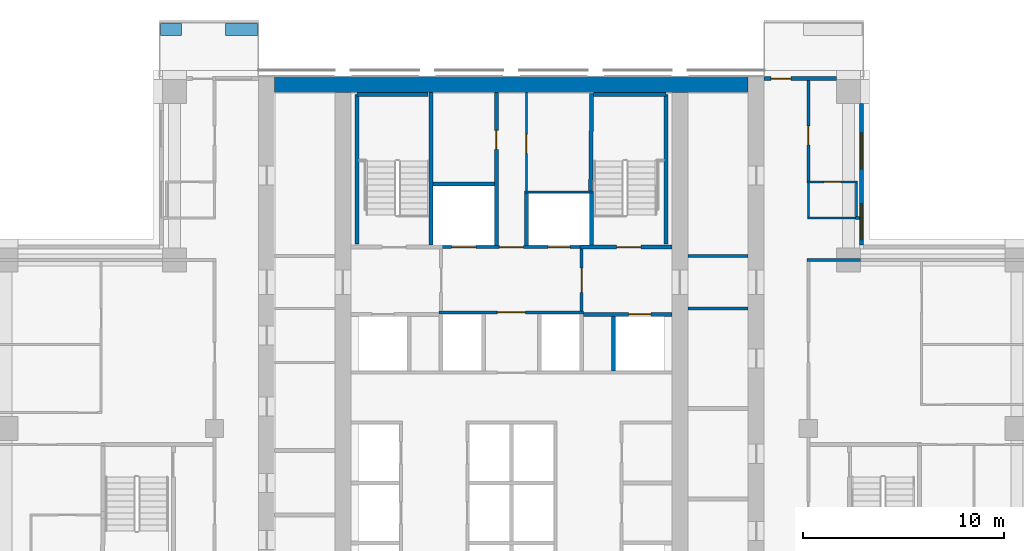
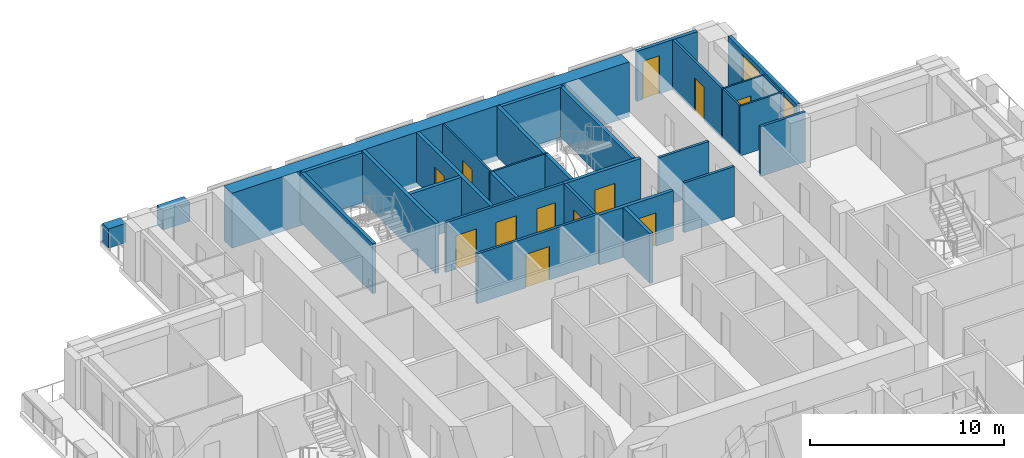
# One storey, part 11 of 16: 32 walls, 12 doors, 2 windows, 14 openings.
"""IFC4 building model written with IfcOpenShell, lengths in metres."""

from ifc_helpers import new_model, si_unit, direction, frame, frame_2d, origin, place, context, subcontext, project, spatial, rectangle, extrude, material, layer, layer_set, type_object, element, fill, save


model = new_model("IFC4")

# Units and contexts
model_context = context("Model", 3, precision=1e-05, world=origin(), true_north=direction((0.0, 1.0)))
body_context = subcontext(model_context, "Body", "Model", "MODEL_VIEW")
ifc_project = project(units=[si_unit("LENGTHUNIT", "METRE"), si_unit("AREAUNIT", "SQUARE_METRE"), si_unit("VOLUMEUNIT", "CUBIC_METRE"), si_unit("PLANEANGLEUNIT", "RADIAN"), si_unit("MASSUNIT", "GRAM", prefix="KILO")], contexts=[model_context])

# Site, building, storey
site_placement = place(None, origin())
site = spatial("IfcSite", under=ifc_project, at=site_placement, CompositionType="ELEMENT")
building_placement = place(site_placement, origin())
building = spatial("IfcBuilding", under=site, at=building_placement, Name="Vermilion Ogive Tower", CompositionType="ELEMENT")
storey_placement = place(building_placement, frame((0.0, 0.0, 114.89990234375)))
storey = spatial("IfcBuildingStorey", under=building, at=storey_placement, Name="L29", CompositionType="ELEMENT", Elevation=114.89990234375)

# Walls
ifc_material_1 = material(Name="Concrete B80", Category="concrete")
ifc_layer_1 = layer(ifc_material_1, 0.800048828125)
ifc_layer_set_1 = layer_set([ifc_layer_1], Name="Core wall 800 B80")
wall_type_1 = type_object("IfcWallType", Name="Core wall 800 B80", PredefinedType="SHEAR", material=ifc_layer_set_1)
wall_1_placement = place(storey_placement, frame((-11.800048828125, 21.35009765625, -0.31982421875), z_axis=(0.0, 0.0, 1.0), x_axis=(1.0, 0.0, 0.0)))
element("IfcWall", 1, at=wall_1_placement, inside=storey, type_object=wall_type_1, Name="L29-CORE-N", PredefinedType="SHEAR", context=body_context, shape_type="SweptSolid", body=[
    extrude(rectangle(XDim=23.60009765625, YDim=0.800048828125, at=frame_2d((11.800048828125, 0.0))), origin(), (0.0, 0.0, 1.0), 3.449951171875),
])
ifc_material_2 = material(Name="Gypsum board partition on steel studs", Category="steel")
ifc_layer_2 = layer(ifc_material_2, 0.10009765625)
ifc_layer_set_2 = layer_set([ifc_layer_2], Name="Partition 100 bath")
wall_type_2 = type_object("IfcWallType", Name="Partition 100 bath", PredefinedType="PARTITIONING", material=ifc_layer_set_2)
wall_2_placement = place(storey_placement, frame((14.75, 14.699951171875, 0.0), z_axis=(0.0, 0.0, 1.0), x_axis=(1.0, 0.0, 0.0)))
element("IfcWall", 2, at=wall_2_placement, inside=storey, type_object=wall_type_2, Name="L29-W-W039", PredefinedType="PARTITIONING", context=body_context, shape_type="SweptSolid", body=[
    extrude(rectangle(XDim=2.5, YDim=0.10009765625, at=frame_2d((1.25, 0.0))), origin(), (0.0, 0.0, 1.0), 3.130126953125),
])

# Wall, opening, door
wall_3_placement = place(storey_placement, frame((14.72509765625, 16.5, 0.0), z_axis=(0.0, 0.0, 1.0), x_axis=(1.0, 0.0, 0.0)))
wall_3 = element("IfcWall", 3, at=wall_3_placement, inside=storey, type_object=wall_type_2, Name="L29-W-W042", PredefinedType="PARTITIONING", context=body_context, shape_type="SweptSolid", body=[
    extrude(rectangle(XDim=2.52490234375, YDim=0.10009765625, at=frame_2d((1.262451171875, 0.0))), origin(), (0.0, 0.0, 1.0), 3.130126953125),
])
opening_1_placement = place(wall_3_placement, frame((0.849853515625, 0.0, 0.0)))
opening_1 = element("IfcOpeningElement", 4, at=opening_1_placement, cuts=wall_3, Name="Opening D2G5022", PredefinedType="OPENING", context=body_context, shape_type="SweptSolid", body=[
    extrude(rectangle(XDim=0.85009765625, YDim=2.10009765625, at=frame_2d((0.425048828125, 1.050048828125))), frame((0.0, 0.06005859375, 0.0), z_axis=(0.0, -1.0, 0.0), x_axis=(1.0, 0.0, 0.0)), (0.0, 0.0, 1.0), 0.1201171875),
])
ifc_material_3 = material(Name="Timber door leaf", Category="wood")
door_type_1 = type_object("IfcDoorType", Name="Bath door 850 x 2100 FD30", OperationType="SINGLE_SWING_LEFT", PredefinedType="DOOR", material=ifc_material_3)
door_1_placement = place(opening_1_placement, origin())
door_1 = element("IfcDoor", 5, at=door_1_placement, inside=storey, type_object=door_type_1, Name="L29-D-D022", OperationType="SINGLE_SWING_RIGHT", OverallHeight=2.10009765625, OverallWidth=0.85009765625, PredefinedType="DOOR", context=body_context, shape_type="SweptSolid", body=[
    extrude(rectangle(XDim=0.85009765625, YDim=2.10009765625, at=frame_2d((0.425048828125, 1.050048828125))), frame((0.0, 0.02490234375, 0.0), z_axis=(0.0, -1.0, 0.0), x_axis=(1.0, 0.0, 0.0)), (0.0, 0.0, 1.0), 0.050048828125),
])
fill(opening_1, door_1)

# Walls
wall_4_placement = place(storey_placement, frame((14.800048828125, 14.75, 0.0), z_axis=(0.0, 0.0, 1.0), x_axis=(0.0, 1.0, 0.0)))
element("IfcWall", 6, at=wall_4_placement, inside=storey, type_object=wall_type_2, Name="L29-W-W070", PredefinedType="PARTITIONING", context=body_context, shape_type="SweptSolid", body=[
    extrude(rectangle(XDim=1.699951171875, YDim=0.10009765625, at=frame_2d((0.85009765625, 0.0))), origin(), (0.0, 0.0, 1.0), 3.130126953125),
])
wall_5_placement = place(storey_placement, frame((17.199951171875, 14.77490234375, 0.0), z_axis=(0.0, 0.0, 1.0), x_axis=(0.0, 1.0, 0.0)))
element("IfcWall", 7, at=wall_5_placement, inside=storey, type_object=wall_type_2, Name="L29-W-W073", PredefinedType="PARTITIONING", context=body_context, shape_type="SweptSolid", body=[
    extrude(rectangle(XDim=1.675048828125, YDim=0.10009765625, at=frame_2d((0.83740234375, 0.0))), origin(), (0.0, 0.0, 1.0), 3.130126953125),
])
wall_6_placement = place(storey_placement, frame((0.64990234375, 16.0, 0.0), z_axis=(0.0, 0.0, 1.0), x_axis=(1.0, 0.0, 0.0)))
element("IfcWall", 8, at=wall_6_placement, inside=storey, type_object=wall_type_2, Name="L29-CK-W-W020", PredefinedType="PARTITIONING", context=body_context, shape_type="SweptSolid", body=[
    extrude(rectangle(XDim=3.4501953125, YDim=0.10009765625, at=frame_2d((1.72509765625, 0.0))), origin(), (0.0, 0.0, 1.0), 3.130126953125),
])

# Wall, opening, door
wall_7_placement = place(storey_placement, frame((0.75, 16.050048828125, 0.0), z_axis=(0.0, 0.0, 1.0), x_axis=(0.0, 1.0, 0.0)))
wall_7 = element("IfcWall", 9, at=wall_7_placement, inside=storey, type_object=wall_type_2, Name="L29-CK-W-W032", PredefinedType="PARTITIONING", context=body_context, shape_type="SweptSolid", body=[
    extrude(rectangle(XDim=4.89892578125, YDim=0.10009765625, at=frame_2d((2.449462890625, 0.0))), origin(), (0.0, 0.0, 1.0), 3.130126953125),
])
opening_2_placement = place(wall_7_placement, frame((1.875, 0.0, 0.0)))
opening_2 = element("IfcOpeningElement", 10, at=opening_2_placement, cuts=wall_7, Name="Opening DAA238", PredefinedType="OPENING", context=body_context, shape_type="SweptSolid", body=[
    extrude(rectangle(XDim=0.949951171875, YDim=2.10009765625, at=frame_2d((0.47509765625, 1.050048828125))), frame((0.0, 0.06005859375, 0.0), z_axis=(0.0, -1.0, 0.0), x_axis=(1.0, 0.0, 0.0)), (0.0, 0.0, 1.0), 0.1201171875),
])
ifc_material_4 = material(Name="Timber door leaf", Category="wood")
door_type_2 = type_object("IfcDoorType", Name="Service door 950 x 2100 FD60", OperationType="SINGLE_SWING_LEFT", PredefinedType="DOOR", material=ifc_material_4)
door_2_placement = place(opening_2_placement, origin())
door_2 = element("IfcDoor", 11, at=door_2_placement, inside=storey, type_object=door_type_2, Name="L29-CK-D-D021", OperationType="SINGLE_SWING_LEFT", OverallHeight=2.10009765625, OverallWidth=0.949951171875, PredefinedType="DOOR", context=body_context, shape_type="SweptSolid", body=[
    extrude(rectangle(XDim=0.949951171875, YDim=2.10009765625, at=frame_2d((0.47509765625, 1.050048828125))), frame((0.0, 0.02490234375, 0.0), z_axis=(0.0, -1.0, 0.0), x_axis=(1.0, 0.0, 0.0)), (0.0, 0.0, 1.0), 0.050048828125),
])
fill(opening_2, door_2)

# Walls
ifc_material_5 = material(Name="Gypsum board partition on steel studs", Category="steel")
ifc_layer_3 = layer(ifc_material_5, 0.14990234375)
ifc_layer_set_3 = layer_set([ifc_layer_3], Name="Partition 150 corridor")
wall_type_3 = type_object("IfcWallType", Name="Partition 150 corridor", PredefinedType="PARTITIONING", material=ifc_layer_set_3)
wall_8_placement = place(storey_placement, frame((14.72509765625, 12.60009765625, 0.0), z_axis=(0.0, 0.0, 1.0), x_axis=(1.0, 0.0, 0.0)))
element("IfcWall", 12, at=wall_8_placement, inside=storey, type_object=wall_type_3, Name="L29-W-W036", PredefinedType="PARTITIONING", context=body_context, shape_type="SweptSolid", body=[
    extrude(rectangle(XDim=2.6748046875, YDim=0.14990234375, at=frame_2d((1.33740234375, 0.0))), origin(), (0.0, 0.0, 1.0), 3.130126953125),
])
wall_9_placement = place(storey_placement, frame((17.14990234375, 14.699951171875, 0.0), z_axis=(0.0, 0.0, 1.0), x_axis=(1.0, 0.0, 0.0)))
element("IfcWall", 13, at=wall_9_placement, inside=storey, type_object=wall_type_3, Name="L29-W-W040", PredefinedType="PARTITIONING", context=body_context, shape_type="SweptSolid", body=[
    extrude(rectangle(XDim=0.2001953125, YDim=0.14990234375, at=frame_2d((0.10009765625, 0.0))), origin(), (0.0, 0.0, 1.0), 3.130126953125),
])

# Wall, opening, door
wall_10_placement = place(storey_placement, frame((14.800048828125, 16.550048828125, 0.0), z_axis=(0.0, 0.0, 1.0), x_axis=(0.0, 1.0, 0.0)))
wall_10 = element("IfcWall", 14, at=wall_10_placement, inside=storey, type_object=wall_type_3, Name="L29-W-W071", PredefinedType="PARTITIONING", context=body_context, shape_type="SweptSolid", body=[
    extrude(rectangle(XDim=5.0, YDim=0.14990234375, at=frame_2d((2.5, 0.0))), origin(), (0.0, 0.0, 1.0), 3.130126953125),
])
opening_3_placement = place(wall_10_placement, frame((1.800048828125, 0.0, 0.0)))
opening_3 = element("IfcOpeningElement", 15, at=opening_3_placement, cuts=wall_10, Name="Opening D2G5021", PredefinedType="OPENING", context=body_context, shape_type="SweptSolid", body=[
    extrude(rectangle(XDim=0.949951171875, YDim=2.10009765625, at=frame_2d((0.47509765625, 1.050048828125))), frame((0.0, 0.0849609375, 0.0), z_axis=(0.0, -1.0, 0.0), x_axis=(1.0, 0.0, 0.0)), (0.0, 0.0, 1.0), 0.169921875),
])
ifc_material_6 = material(Name="Timber door leaf", Category="wood")
door_type_3 = type_object("IfcDoorType", Name="Unit door 950 x 2100 FD30S", OperationType="SINGLE_SWING_LEFT", PredefinedType="DOOR", material=ifc_material_6)
door_3_placement = place(opening_3_placement, origin())
door_3 = element("IfcDoor", 16, at=door_3_placement, inside=storey, type_object=door_type_3, Name="L29-D-D021", OperationType="SINGLE_SWING_LEFT", OverallHeight=2.10009765625, OverallWidth=0.949951171875, PredefinedType="DOOR", context=body_context, shape_type="SweptSolid", body=[
    extrude(rectangle(XDim=0.949951171875, YDim=2.10009765625, at=frame_2d((0.47509765625, 1.050048828125))), frame((0.0, 0.02490234375, 0.0), z_axis=(0.0, -1.0, 0.0), x_axis=(1.0, 0.0, 0.0)), (0.0, 0.0, 1.0), 0.050048828125),
])
fill(opening_3, door_3)

wall_11_placement = place(storey_placement, frame((-3.60009765625, 10.0, 0.0), z_axis=(0.0, 0.0, 1.0), x_axis=(1.0, 0.0, 0.0)))
wall_11 = element("IfcWall", 17, at=wall_11_placement, inside=storey, type_object=wall_type_3, Name="L29-CK-W-W016", PredefinedType="PARTITIONING", context=body_context, shape_type="SweptSolid", body=[
    extrude(rectangle(XDim=7.2001953125, YDim=0.14990234375, at=frame_2d((3.60009765625, 0.0))), origin(), (0.0, 0.0, 1.0), 3.130126953125),
])
opening_4_placement = place(wall_11_placement, frame((2.900146484375, 0.0, 0.0)))
opening_4 = element("IfcOpeningElement", 18, at=opening_4_placement, cuts=wall_11, Name="Opening DAA233", PredefinedType="OPENING", context=body_context, shape_type="SweptSolid", body=[
    extrude(rectangle(XDim=1.39990234375, YDim=2.10009765625, at=frame_2d((0.699951171875, 1.050048828125))), frame((0.0, 0.0849609375, 0.0), z_axis=(0.0, -1.0, 0.0), x_axis=(1.0, 0.0, 0.0)), (0.0, 0.0, 1.0), 0.169921875),
])
ifc_material_7 = material(Name="Timber door leaf", Category="wood")
door_type_4 = type_object("IfcDoorType", Name="Lobby door 1400 x 2100 FD60S", OperationType="SINGLE_SWING_LEFT", PredefinedType="DOOR", material=ifc_material_7)
door_4_placement = place(opening_4_placement, origin())
door_4 = element("IfcDoor", 19, at=door_4_placement, inside=storey, type_object=door_type_4, Name="L29-CK-D-D016", OperationType="SINGLE_SWING_RIGHT", OverallHeight=2.10009765625, OverallWidth=1.39990234375, PredefinedType="DOOR", context=body_context, shape_type="SweptSolid", body=[
    extrude(rectangle(XDim=1.39990234375, YDim=2.10009765625, at=frame_2d((0.699951171875, 1.050048828125))), frame((0.0, 0.02490234375, 0.0), z_axis=(0.0, -1.0, 0.0), x_axis=(1.0, 0.0, 0.0)), (0.0, 0.0, 1.0), 0.050048828125),
])
fill(opening_4, door_4)

# Wall, openings, doors
wall_12_placement = place(storey_placement, frame((-3.574951171875, 13.25, 0.0), z_axis=(0.0, 0.0, 1.0), x_axis=(1.0, 0.0, 0.0)))
wall_12 = element("IfcWall", 20, at=wall_12_placement, inside=storey, type_object=wall_type_3, Name="L29-CK-W-W018", PredefinedType="PARTITIONING", context=body_context, shape_type="SweptSolid", body=[
    extrude(rectangle(XDim=7.14990234375, YDim=0.14990234375, at=frame_2d((3.574951171875, 0.0))), origin(), (0.0, 0.0, 1.0), 3.130126953125),
])
opening_5_placement = place(wall_12_placement, frame((0.599853515625, 0.0, 0.0)))
opening_5 = element("IfcOpeningElement", 21, at=opening_5_placement, cuts=wall_12, Name="Opening DAA252", PredefinedType="OPENING", context=body_context, shape_type="SweptSolid", body=[
    extrude(rectangle(XDim=1.199951171875, YDim=2.10009765625, at=frame_2d((0.60009765625, 1.050048828125))), frame((0.0, 0.0849609375, 0.0), z_axis=(0.0, -1.0, 0.0), x_axis=(1.0, 0.0, 0.0)), (0.0, 0.0, 1.0), 0.169921875),
])
opening_6_placement = place(wall_12_placement, frame((5.39990234375, 0.0, 0.0)))
opening_6 = element("IfcOpeningElement", 22, at=opening_6_placement, cuts=wall_12, Name="Opening DAA243", PredefinedType="OPENING", context=body_context, shape_type="SweptSolid", body=[
    extrude(rectangle(XDim=1.10009765625, YDim=2.10009765625, at=frame_2d((0.550048828125, 1.050048828125))), frame((0.0, 0.0849609375, 0.0), z_axis=(0.0, -1.0, 0.0), x_axis=(1.0, 0.0, 0.0)), (0.0, 0.0, 1.0), 0.169921875),
])
opening_7_placement = place(wall_12_placement, frame((2.974853515625, 0.0, 0.0)))
opening_7 = element("IfcOpeningElement", 23, at=opening_7_placement, cuts=wall_12, Name="Opening DAA234", PredefinedType="OPENING", context=body_context, shape_type="SweptSolid", body=[
    extrude(rectangle(XDim=1.199951171875, YDim=2.10009765625, at=frame_2d((0.60009765625, 1.050048828125))), frame((0.0, 0.0849609375, 0.0), z_axis=(0.0, -1.0, 0.0), x_axis=(1.0, 0.0, 0.0)), (0.0, 0.0, 1.0), 0.169921875),
])
ifc_material_8 = material(Name="Stainless steel", Category="steel")
door_type_5 = type_object("IfcDoorType", Name="Lift landing door 1100 x 2100", OperationType="SLIDING_TO_LEFT", PredefinedType="DOOR", material=ifc_material_8)
door_5_placement = place(opening_6_placement, origin())
door_5 = element("IfcDoor", 24, at=door_5_placement, inside=storey, type_object=door_type_5, Name="L29-CK-D-D018", OperationType="SLIDING_TO_LEFT", OverallHeight=2.10009765625, OverallWidth=1.10009765625, PredefinedType="DOOR", context=body_context, shape_type="SweptSolid", body=[
    extrude(rectangle(XDim=1.10009765625, YDim=2.10009765625, at=frame_2d((0.550048828125, 1.050048828125))), frame((0.0, 0.02490234375, 0.0), z_axis=(0.0, -1.0, 0.0), x_axis=(1.0, 0.0, 0.0)), (0.0, 0.0, 1.0), 0.050048828125),
])
fill(opening_6, door_5)
ifc_material_9 = material(Name="Stainless steel", Category="steel")
door_type_6 = type_object("IfcDoorType", Name="Lift landing door 1200 x 2100", OperationType="SLIDING_TO_LEFT", PredefinedType="DOOR", material=ifc_material_9)
door_6_placement = place(opening_5_placement, origin())
door_6 = element("IfcDoor", 25, at=door_6_placement, inside=storey, type_object=door_type_6, Name="L29-CK-D-D017", OperationType="SLIDING_TO_RIGHT", OverallHeight=2.10009765625, OverallWidth=1.199951171875, PredefinedType="DOOR", context=body_context, shape_type="SweptSolid", body=[
    extrude(rectangle(XDim=1.199951171875, YDim=2.10009765625, at=frame_2d((0.60009765625, 1.050048828125))), frame((0.0, 0.02490234375, 0.0), z_axis=(0.0, -1.0, 0.0), x_axis=(1.0, 0.0, 0.0)), (0.0, 0.0, 1.0), 0.050048828125),
])
fill(opening_5, door_6)
ifc_material_10 = material(Name="Timber door leaf", Category="wood")
door_type_7 = type_object("IfcDoorType", Name="Service door 1200 x 2100 FD60", OperationType="SINGLE_SWING_LEFT", PredefinedType="DOOR", material=ifc_material_10)
door_7_placement = place(opening_7_placement, origin())
door_7 = element("IfcDoor", 26, at=door_7_placement, inside=storey, type_object=door_type_7, Name="L29-CK-D-D019", OperationType="SINGLE_SWING_RIGHT", OverallHeight=2.10009765625, OverallWidth=1.199951171875, PredefinedType="DOOR", context=body_context, shape_type="SweptSolid", body=[
    extrude(rectangle(XDim=1.199951171875, YDim=2.10009765625, at=frame_2d((0.60009765625, 1.050048828125))), frame((0.0, 0.02490234375, 0.0), z_axis=(0.0, -1.0, 0.0), x_axis=(1.0, 0.0, 0.0)), (0.0, 0.0, 1.0), 0.050048828125),
])
fill(opening_7, door_7)

# Wall, opening, door
wall_13_placement = place(storey_placement, frame((3.5, 10.074951171875, 0.0), z_axis=(0.0, 0.0, 1.0), x_axis=(0.0, 1.0, 0.0)))
wall_13 = element("IfcWall", 27, at=wall_13_placement, inside=storey, type_object=wall_type_3, Name="L29-CK-W-W036", PredefinedType="PARTITIONING", context=body_context, shape_type="SweptSolid", body=[
    extrude(rectangle(XDim=3.074951171875, YDim=0.14990234375, at=frame_2d((1.53759765625, 0.0))), origin(), (0.0, 0.0, 1.0), 3.130126953125),
])
opening_8_placement = place(wall_13_placement, frame((0.925048828125, 0.0, 0.0)))
opening_8 = element("IfcOpeningElement", 28, at=opening_8_placement, cuts=wall_13, Name="Opening DAA231", PredefinedType="OPENING", context=body_context, shape_type="SweptSolid", body=[
    extrude(rectangle(XDim=1.199951171875, YDim=2.10009765625, at=frame_2d((0.60009765625, 1.050048828125))), frame((0.0, 0.0849609375, 0.0), z_axis=(0.0, -1.0, 0.0), x_axis=(1.0, 0.0, 0.0)), (0.0, 0.0, 1.0), 0.169921875),
])
ifc_material_11 = material(Name="Timber door leaf", Category="wood")
door_type_8 = type_object("IfcDoorType", Name="Lobby door 1200 x 2100 FD60S", OperationType="SINGLE_SWING_LEFT", PredefinedType="DOOR", material=ifc_material_11)
door_8_placement = place(opening_8_placement, origin())
door_8 = element("IfcDoor", 29, at=door_8_placement, inside=storey, type_object=door_type_8, Name="L29-CK-D-D023", OperationType="SINGLE_SWING_LEFT", OverallHeight=2.10009765625, OverallWidth=1.199951171875, PredefinedType="DOOR", context=body_context, shape_type="SweptSolid", body=[
    extrude(rectangle(XDim=1.199951171875, YDim=2.10009765625, at=frame_2d((0.60009765625, 1.050048828125))), frame((0.0, 0.02490234375, 0.0), z_axis=(0.0, -1.0, 0.0), x_axis=(1.0, 0.0, 0.0)), (0.0, 0.0, 1.0), 0.050048828125),
])
fill(opening_8, door_8)

# Walls
for number, where, z_axis, x_axis, name in (
    (30, (8.801025390625, 10.199951171875, 0.0), (0.0, 0.0, 1.0), (1.0, 0.0, 0.0), "L29-CKE-W-W004"),
    (31, (8.801025390625, 12.800048828125, 0.0), (0.0, 0.0, 1.0), (1.0, 0.0, 0.0), "L29-CKE-W-W005"),
):
    element("IfcWall", number, at=place(storey_placement, frame(where, z_axis=z_axis, x_axis=x_axis)), inside=storey, type_object=wall_type_3, Name=name, PredefinedType="PARTITIONING", context=body_context, shape_type="SweptSolid", body=[
        extrude(rectangle(XDim=2.998046875, YDim=0.14990234375, at=frame_2d((1.4990234375, 0.0))), origin(), (0.0, 0.0, 1.0), 3.130126953125),
    ])

# Wall, opening, door
ifc_material_12 = material(Name="Gypsum board partition on steel studs", Category="steel")
ifc_layer_4 = layer(ifc_material_12, 0.199951171875)
ifc_layer_set_4 = layer_set([ifc_layer_4], Name="Partition 200 party")
wall_type_4 = type_object("IfcWallType", Name="Partition 200 party", PredefinedType="PARTITIONING", material=ifc_layer_set_4)
wall_14_placement = place(storey_placement, frame((3.60009765625, 9.89990234375, 0.0), z_axis=(0.0, 0.0, 1.0), x_axis=(1.0, 0.0, 0.0)))
wall_14 = element("IfcWall", 32, at=wall_14_placement, inside=storey, type_object=wall_type_4, Name="L29-CK-W-W015", PredefinedType="PARTITIONING", context=body_context, shape_type="SweptSolid", body=[
    extrude(rectangle(XDim=4.39892578125, YDim=0.199951171875, at=frame_2d((2.199462890625, 0.0))), origin(), (0.0, 0.0, 1.0), 3.130126953125),
])
opening_9_placement = place(wall_14_placement, frame((2.25, 0.0, 0.0)))
opening_9 = element("IfcOpeningElement", 33, at=opening_9_placement, cuts=wall_14, Name="Opening DAA242", PredefinedType="OPENING", context=body_context, shape_type="SweptSolid", body=[
    extrude(rectangle(XDim=1.10009765625, YDim=2.10009765625, at=frame_2d((0.550048828125, 1.050048828125))), frame((0.0, 0.10986328125, 0.0), z_axis=(0.0, -1.0, 0.0), x_axis=(1.0, 0.0, 0.0)), (0.0, 0.0, 1.0), 0.219970703125),
])
door_9_placement = place(opening_9_placement, origin())
door_9 = element("IfcDoor", 34, at=door_9_placement, inside=storey, type_object=door_type_5, Name="L29-CK-D-D014", OperationType="SLIDING_TO_LEFT", OverallHeight=2.10009765625, OverallWidth=1.10009765625, PredefinedType="DOOR", context=body_context, shape_type="SweptSolid", body=[
    extrude(rectangle(XDim=1.10009765625, YDim=2.10009765625, at=frame_2d((0.550048828125, 1.050048828125))), frame((0.0, 0.02490234375, 0.0), z_axis=(0.0, -1.0, 0.0), x_axis=(1.0, 0.0, 0.0)), (0.0, 0.0, 1.0), 0.050048828125),
])
fill(opening_9, door_9)

# Wall
wall_15_placement = place(storey_placement, frame((-3.89990234375, 16.39990234375, 0.0), z_axis=(0.0, 0.0, 1.0), x_axis=(1.0, 0.0, 0.0)))
element("IfcWall", 35, at=wall_15_placement, inside=storey, type_object=wall_type_4, Name="L29-CK-W-W021", PredefinedType="PARTITIONING", context=body_context, shape_type="SweptSolid", body=[
    extrude(rectangle(XDim=3.0498046875, YDim=0.199951171875, at=frame_2d((1.52490234375, 0.0))), origin(), (0.0, 0.0, 1.0), 3.130126953125),
])

# Wall, opening, door
wall_16_placement = place(storey_placement, frame((-0.75, 13.324951171875, 0.0), z_axis=(0.0, 0.0, 1.0), x_axis=(0.0, 1.0, 0.0)))
wall_16 = element("IfcWall", 36, at=wall_16_placement, inside=storey, type_object=wall_type_4, Name="L29-CK-W-W029", PredefinedType="PARTITIONING", context=body_context, shape_type="SweptSolid", body=[
    extrude(rectangle(XDim=7.6240234375, YDim=0.199951171875, at=frame_2d((3.81201171875, 0.0))), origin(), (0.0, 0.0, 1.0), 3.130126953125),
])
opening_10_placement = place(wall_16_placement, frame((4.800048828125, 0.0, 0.0)))
opening_10 = element("IfcOpeningElement", 37, at=opening_10_placement, cuts=wall_16, Name="Opening DAA237", PredefinedType="OPENING", context=body_context, shape_type="SweptSolid", body=[
    extrude(rectangle(XDim=0.949951171875, YDim=2.10009765625, at=frame_2d((0.47509765625, 1.050048828125))), frame((0.0, 0.10986328125, 0.0), z_axis=(0.0, -1.0, 0.0), x_axis=(1.0, 0.0, 0.0)), (0.0, 0.0, 1.0), 0.219970703125),
])
door_10_placement = place(opening_10_placement, origin())
door_10 = element("IfcDoor", 38, at=door_10_placement, inside=storey, type_object=door_type_2, Name="L29-CK-D-D020", OperationType="SINGLE_SWING_RIGHT", OverallHeight=2.10009765625, OverallWidth=0.949951171875, PredefinedType="DOOR", context=body_context, shape_type="SweptSolid", body=[
    extrude(rectangle(XDim=0.949951171875, YDim=2.10009765625, at=frame_2d((0.47509765625, 1.050048828125))), frame((0.0, 0.02490234375, 0.0), z_axis=(0.0, -1.0, 0.0), x_axis=(1.0, 0.0, 0.0)), (0.0, 0.0, 1.0), 0.050048828125),
])
fill(opening_10, door_10)

# Walls
wall_17_placement = place(storey_placement, frame((0.75, 13.324951171875, 0.0), z_axis=(0.0, 0.0, 1.0), x_axis=(0.0, 1.0, 0.0)))
element("IfcWall", 39, at=wall_17_placement, inside=storey, type_object=wall_type_4, Name="L29-CK-W-W031", PredefinedType="PARTITIONING", context=body_context, shape_type="SweptSolid", body=[
    extrude(rectangle(XDim=2.625, YDim=0.199951171875, at=frame_2d((1.3125, 0.0))), origin(), (0.0, 0.0, 1.0), 3.130126953125),
])
wall_18_placement = place(storey_placement, frame((5.10009765625, 7.074951171875, 0.0), z_axis=(0.0, 0.0, 1.0), x_axis=(0.0, 1.0, 0.0)))
element("IfcWall", 40, at=wall_18_placement, inside=storey, type_object=wall_type_4, Name="L29-CK-W-W039", PredefinedType="PARTITIONING", context=body_context, shape_type="SweptSolid", body=[
    extrude(rectangle(XDim=2.72509765625, YDim=0.199951171875, at=frame_2d((1.362548828125, 0.0))), origin(), (0.0, 0.0, 1.0), 3.130126953125),
])

# Wall, opening, door
ifc_material_13 = material(Name="Concrete B60", Category="concrete")
ifc_layer_5 = layer(ifc_material_13, 0.199951171875)
ifc_layer_set_5 = layer_set([ifc_layer_5], Name="Stair shaft wall 200 Concrete B60")
wall_type_5 = type_object("IfcWallType", Name="Stair shaft wall 200 Concrete B60", PredefinedType="SOLIDWALL", material=ifc_layer_set_5)
wall_19_placement = place(storey_placement, frame((3.425048828125, 13.25, 0.0), z_axis=(0.0, 0.0, 1.0), x_axis=(1.0, 0.0, 0.0)))
wall_19 = element("IfcWall", 41, at=wall_19_placement, inside=storey, type_object=wall_type_5, Name="L29-CK-W-W019", PredefinedType="SOLIDWALL", context=body_context, shape_type="SweptSolid", body=[
    extrude(rectangle(XDim=4.573974609375, YDim=0.199951171875, at=frame_2d((2.287109375, 0.0))), origin(), (0.0, 0.0, 1.0), 3.130126953125),
])
opening_11_placement = place(wall_19_placement, frame((1.824951171875, 0.0, 0.0)))
opening_11 = element("IfcOpeningElement", 42, at=opening_11_placement, cuts=wall_19, Name="Opening DAA240", PredefinedType="OPENING", context=body_context, shape_type="SweptSolid", body=[
    extrude(rectangle(XDim=1.199951171875, YDim=2.10009765625, at=frame_2d((0.60009765625, 1.050048828125))), frame((0.0, 0.10986328125, 0.0), z_axis=(0.0, -1.0, 0.0), x_axis=(1.0, 0.0, 0.0)), (0.0, 0.0, 1.0), 0.219970703125),
])
ifc_material_14 = material(Name="Timber door leaf", Category="wood")
door_type_9 = type_object("IfcDoorType", Name="Stair door 1200 x 2100 FD60S", OperationType="SINGLE_SWING_LEFT", PredefinedType="DOOR", material=ifc_material_14)
door_11_placement = place(opening_11_placement, origin())
door_11 = element("IfcDoor", 43, at=door_11_placement, inside=storey, type_object=door_type_9, Name="L29-CK-D-D013", OperationType="SINGLE_SWING_RIGHT", OverallHeight=2.10009765625, OverallWidth=1.199951171875, PredefinedType="DOOR", context=body_context, shape_type="SweptSolid", body=[
    extrude(rectangle(XDim=1.199951171875, YDim=2.10009765625, at=frame_2d((0.60009765625, 1.050048828125))), frame((0.0, 0.02490234375, 0.0), z_axis=(0.0, -1.0, 0.0), x_axis=(1.0, 0.0, 0.0)), (0.0, 0.0, 1.0), 0.050048828125),
])
fill(opening_11, door_11)

# Walls
wall_20_placement = place(storey_placement, frame((-4.0, 13.35009765625, 0.0), z_axis=(0.0, 0.0, 1.0), x_axis=(0.0, 1.0, 0.0)))
element("IfcWall", 44, at=wall_20_placement, inside=storey, type_object=wall_type_5, Name="L29-CK-W-W024", PredefinedType="SOLIDWALL", context=body_context, shape_type="SweptSolid", body=[
    extrude(rectangle(XDim=7.598876953125, YDim=0.199951171875, at=frame_2d((3.79931640625, 0.0))), origin(), (0.0, 0.0, 1.0), 3.130126953125),
])
wall_21_placement = place(storey_placement, frame((4.0, 13.35009765625, 0.0), z_axis=(0.0, 0.0, 1.0), x_axis=(0.0, 1.0, 0.0)))
element("IfcWall", 45, at=wall_21_placement, inside=storey, type_object=wall_type_5, Name="L29-CK-W-W037", PredefinedType="SOLIDWALL", context=body_context, shape_type="SweptSolid", body=[
    extrude(rectangle(XDim=2.599853515625, YDim=0.199951171875, at=frame_2d((1.2998046875, 0.0))), origin(), (0.0, 0.0, 1.0), 3.130126953125),
])
wall_22_placement = place(storey_placement, frame((3.949951171875, 16.050048828125, 0.0), z_axis=(0.0, 0.0, 1.0), x_axis=(0.01032118628, 0.999946735138, 0.0)))
element("IfcWall", 46, at=wall_22_placement, inside=storey, type_object=wall_type_5, Name="L29-CK-W-W038", PredefinedType="SOLIDWALL", context=body_context, shape_type="SweptSolid", body=[
    extrude(rectangle(XDim=4.84912109375, YDim=0.199951171875, at=frame_2d((2.424560546875, 0.0))), origin(), (0.0, 0.0, 1.0), 3.130126953125),
])
wall_23_placement = place(storey_placement, frame((-7.699951171875, 13.39990234375, 0.0), z_axis=(0.0, 0.0, 1.0), x_axis=(0.0, 1.0, 0.0)))
element("IfcWall", 47, at=wall_23_placement, inside=storey, type_object=wall_type_5, Name="L29-SW-R022-W1", PredefinedType="SOLIDWALL", context=body_context, shape_type="SweptSolid", body=[
    extrude(rectangle(XDim=7.4501953125, YDim=0.199951171875, at=frame_2d((3.72509765625, 0.0))), origin(), (0.0, 0.0, 1.0), 3.130126953125),
])
wall_24_placement = place(storey_placement, frame((-7.699951171875, 20.85009765625, 0.0), z_axis=(0.0, 0.0, 1.0), x_axis=(1.0, 0.0, 0.0)))
element("IfcWall", 48, at=wall_24_placement, inside=storey, type_object=wall_type_5, Name="L29-SW-R022-N1", PredefinedType="SOLIDWALL", context=body_context, shape_type="SweptSolid", body=[
    extrude(rectangle(XDim=3.550048828125, YDim=0.199951171875, at=frame_2d((1.77490234375, 0.0))), origin(), (0.0, 0.0, 1.0), 3.130126953125),
])
wall_25_placement = place(storey_placement, frame((7.699951171875, 13.39990234375, 0.0), z_axis=(0.0, 0.0, 1.0), x_axis=(0.0, 1.0, 0.0)))
element("IfcWall", 49, at=wall_25_placement, inside=storey, type_object=wall_type_5, Name="L29-SW-R026-E1", PredefinedType="SOLIDWALL", context=body_context, shape_type="SweptSolid", body=[
    extrude(rectangle(XDim=7.4501953125, YDim=0.199951171875, at=frame_2d((3.72509765625, 0.0))), origin(), (0.0, 0.0, 1.0), 3.130126953125),
])
wall_26_placement = place(storey_placement, frame((4.10009765625, 20.85009765625, 0.0), z_axis=(0.0, 0.0, 1.0), x_axis=(1.0, 0.0, 0.0)))
element("IfcWall", 50, at=wall_26_placement, inside=storey, type_object=wall_type_5, Name="L29-SW-R026-N1", PredefinedType="SOLIDWALL", context=body_context, shape_type="SweptSolid", body=[
    extrude(rectangle(XDim=3.599853515625, YDim=0.199951171875, at=frame_2d((1.7998046875, 0.0))), origin(), (0.0, 0.0, 1.0), 3.130126953125),
])
ifc_material_15 = material(Name="Concrete B40", Category="concrete")
ifc_layer_6 = layer(ifc_material_15, 0.60009765625)
ifc_layer_set_6 = layer_set([ifc_layer_6], Name="Structural planter")
wall_type_6 = type_object("IfcWallType", Name="Structural planter", PredefinedType="USERDEFINED", material=ifc_layer_set_6)
wall_27_placement = place(storey_placement, frame((-12.659912109375, 24.093994140625, -0.039794921875), z_axis=(0.0, 0.0, 1.0), x_axis=(-1.0, 0.0, 0.0)))
element("IfcWall", 51, at=wall_27_placement, inside=storey, type_object=wall_type_6, Name="Planter N201A1", ObjectType="PLANTER", PredefinedType="USERDEFINED", context=body_context, shape_type="SweptSolid", body=[
    extrude(rectangle(XDim=1.590087890625, YDim=0.60009765625, at=frame_2d((0.794921875, 0.0))), origin(), (0.0, 0.0, 1.0), 1.199951171875),
])
wall_28_placement = place(storey_placement, frame((-16.449951171875, 24.093994140625, -0.039794921875), z_axis=(0.0, 0.0, 1.0), x_axis=(-1.0, 0.0, 0.0)))
element("IfcWall", 52, at=wall_28_placement, inside=storey, type_object=wall_type_6, Name="Planter N201A2", ObjectType="PLANTER", PredefinedType="USERDEFINED", context=body_context, shape_type="SweptSolid", body=[
    extrude(rectangle(XDim=1.0400390625, YDim=0.60009765625, at=frame_2d((0.52001953125, 0.0))), origin(), (0.0, 0.0, 1.0), 1.199951171875),
])

# Wall, openings, windows
ifc_material_16 = material(Name="Aluminium window wall framing", Category="aluminium")
ifc_layer_7 = layer(ifc_material_16, 0.199951171875)
ifc_layer_set_7 = layer_set([ifc_layer_7], Name="Window wall")
wall_type_7 = type_object("IfcWallType", Name="Window wall", PredefinedType="STANDARD", material=ifc_layer_set_7)
wall_29_placement = place(storey_placement, frame((17.449951171875, 13.35009765625, 0.0), z_axis=(0.0, 0.0, 1.0), x_axis=(0.0, 1.0, 0.0)))
wall_29 = element("IfcWall", 53, at=wall_29_placement, inside=storey, type_object=wall_type_7, Name="Window wall X41", PredefinedType="STANDARD", context=body_context, shape_type="SweptSolid", body=[
    extrude(rectangle(XDim=7.0498046875, YDim=0.199951171875, at=frame_2d((3.52490234375, 0.0))), origin(), (0.0, 0.0, 1.0), 3.130126953125),
])
opening_12_placement = place(wall_29_placement, frame((0.27490234375, 0.0, 0.199951171875)))
opening_12 = element("IfcOpeningElement", 54, at=opening_12_placement, cuts=wall_29, Name="Opening W1-X403", PredefinedType="OPENING", context=body_context, shape_type="SweptSolid", body=[
    extrude(rectangle(XDim=1.800048828125, YDim=2.64990234375, at=frame_2d((0.89990234375, 1.324951171875))), frame((0.0, 0.10986328125, 0.0), z_axis=(0.0, -1.0, 0.0), x_axis=(1.0, 0.0, 0.0)), (0.0, 0.0, 1.0), 0.219970703125),
])
opening_13_placement = place(wall_29_placement, frame((3.800048828125, 0.0, 0.199951171875)))
opening_13 = element("IfcOpeningElement", 55, at=opening_13_placement, cuts=wall_29, Name="Opening W1-X404", PredefinedType="OPENING", context=body_context, shape_type="SweptSolid", body=[
    extrude(rectangle(XDim=1.800048828125, YDim=2.64990234375, at=frame_2d((0.89990234375, 1.324951171875))), frame((0.0, 0.10986328125, 0.0), z_axis=(0.0, -1.0, 0.0), x_axis=(1.0, 0.0, 0.0)), (0.0, 0.0, 1.0), 0.219970703125),
])
ifc_material_17 = material(Name="Aluminium framed double glazing", Category="aluminium")
window_type = type_object("IfcWindowType", Name="Guest window W1", PartitioningType="SINGLE_PANEL", PredefinedType="WINDOW", material=ifc_material_17)
window_1_placement = place(opening_12_placement, origin())
window_1 = element("IfcWindow", 56, at=window_1_placement, inside=storey, type_object=window_type, Name="Window X403", OverallHeight=2.64990234375, OverallWidth=1.800048828125, PartitioningType="SINGLE_PANEL", PredefinedType="WINDOW", context=body_context, shape_type="SweptSolid", body=[
    extrude(rectangle(XDim=1.800048828125, YDim=2.64990234375, at=frame_2d((0.89990234375, 1.324951171875))), frame((0.0, 0.030029296875, 0.0), z_axis=(0.0, -1.0, 0.0), x_axis=(1.0, 0.0, 0.0)), (0.0, 0.0, 1.0), 0.06005859375),
])
fill(opening_12, window_1)
window_2_placement = place(opening_13_placement, origin())
window_2 = element("IfcWindow", 57, at=window_2_placement, inside=storey, type_object=window_type, Name="Window X404", OverallHeight=2.64990234375, OverallWidth=1.800048828125, PartitioningType="SINGLE_PANEL", PredefinedType="WINDOW", context=body_context, shape_type="SweptSolid", body=[
    extrude(rectangle(XDim=1.800048828125, YDim=2.64990234375, at=frame_2d((0.89990234375, 1.324951171875))), frame((0.0, 0.030029296875, 0.0), z_axis=(0.0, -1.0, 0.0), x_axis=(1.0, 0.0, 0.0)), (0.0, 0.0, 1.0), 0.06005859375),
])
fill(opening_13, window_2)

# Wall, opening, door
wall_30_placement = place(storey_placement, frame((16.199951171875, 21.64990234375, 0.0), z_axis=(0.0, 0.0, 1.0), x_axis=(-1.0, 0.0, 0.0)))
wall_30 = element("IfcWall", 58, at=wall_30_placement, inside=storey, type_object=wall_type_7, Name="Window wall N11", PredefinedType="STANDARD", context=body_context, shape_type="SweptSolid", body=[
    extrude(rectangle(XDim=3.599853515625, YDim=0.199951171875, at=frame_2d((1.7998046875, 0.0))), origin(), (0.0, 0.0, 1.0), 3.130126953125),
])
opening_14_placement = place(wall_30_placement, frame((2.25, 0.0, 0.0)))
opening_14 = element("IfcOpeningElement", 59, at=opening_14_placement, cuts=wall_30, Name="Opening D1-N103", PredefinedType="OPENING", context=body_context, shape_type="SweptSolid", body=[
    extrude(rectangle(XDim=1.0, YDim=2.39990234375, at=frame_2d((0.5, 1.199951171875))), frame((0.0, 0.10986328125, 0.0), z_axis=(0.0, -1.0, 0.0), x_axis=(1.0, 0.0, 0.0)), (0.0, 0.0, 1.0), 0.219970703125),
])
ifc_material_18 = material(Name="Aluminium framed glazed door", Category="aluminium")
door_type_10 = type_object("IfcDoorType", Name="Balcony door D1", OperationType="SINGLE_SWING_LEFT", PredefinedType="DOOR", material=ifc_material_18)
door_12_placement = place(opening_14_placement, origin())
door_12 = element("IfcDoor", 60, at=door_12_placement, inside=storey, type_object=door_type_10, Name="Balcony door N103", OperationType="SINGLE_SWING_LEFT", OverallHeight=2.39990234375, OverallWidth=1.0, PredefinedType="DOOR", context=body_context, shape_type="SweptSolid", body=[
    extrude(rectangle(XDim=1.0, YDim=2.39990234375, at=frame_2d((0.5, 1.199951171875))), frame((0.0, 0.02490234375, 0.0), z_axis=(0.0, -1.0, 0.0), x_axis=(1.0, 0.0, 0.0)), (0.0, 0.0, 1.0), 0.050048828125),
])
fill(opening_14, door_12)

save(model, "model.ifc")
